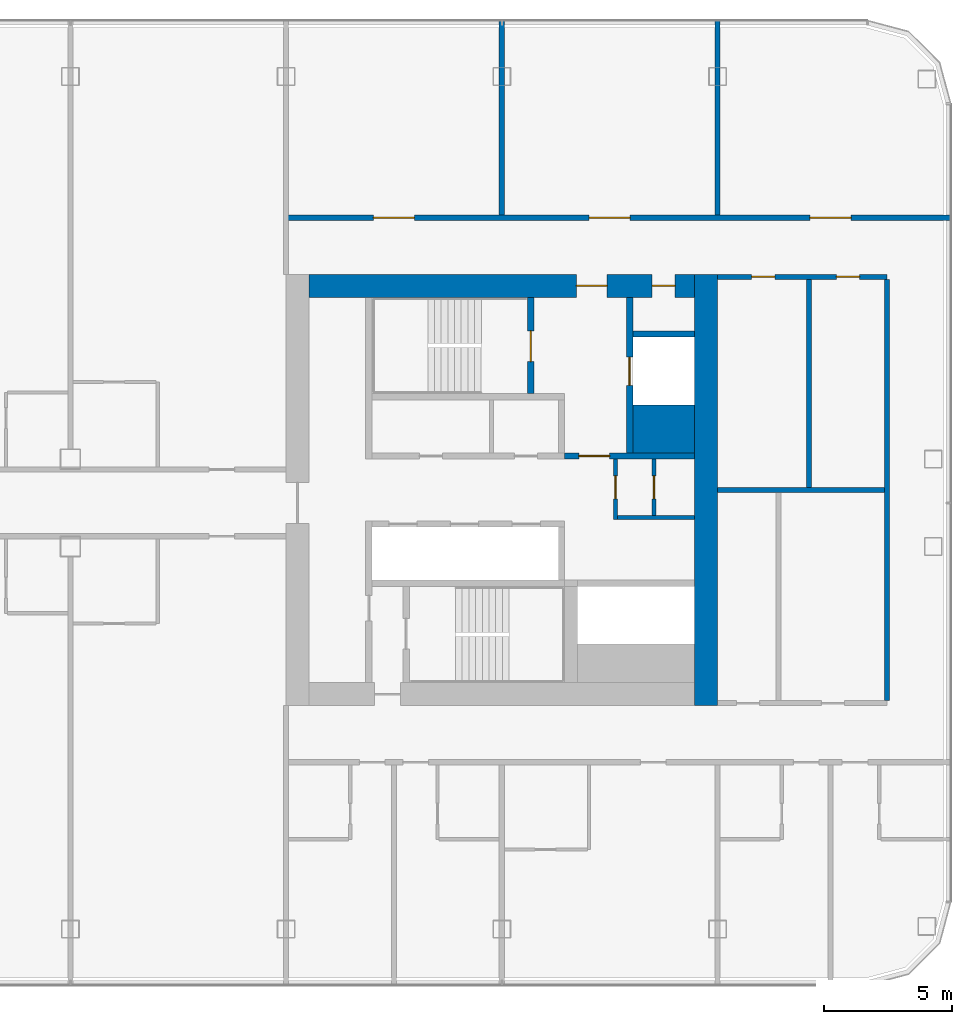
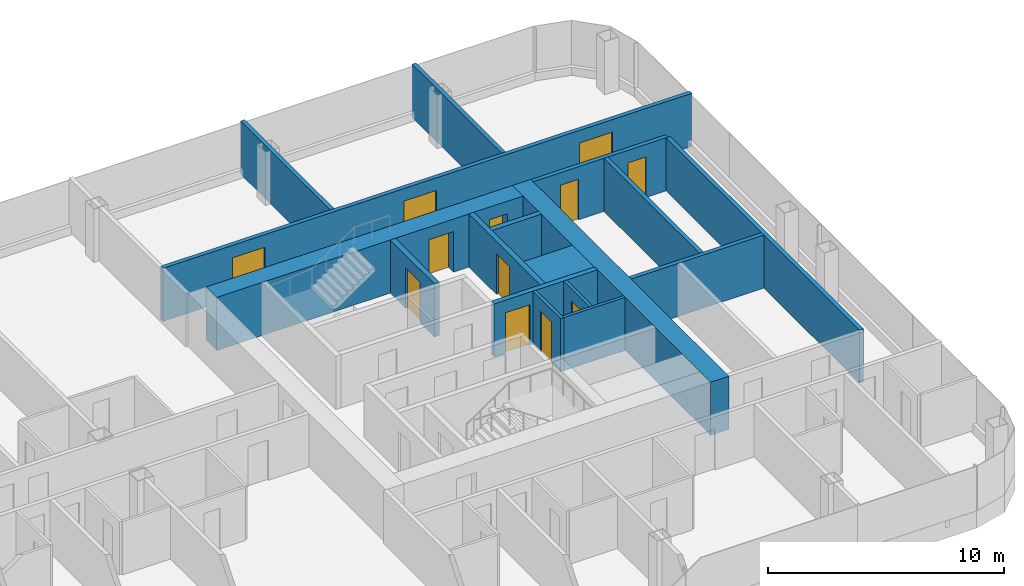
# One storey, part 17 of 26: 17 walls, 12 doors, 12 openings.
"""IFC4 building model written with IfcOpenShell, lengths in metres."""

from ifc_helpers import new_model, si_unit, direction, frame, frame_2d, origin, place, context, subcontext, project, spatial, rectangle, extrude, material, layer, layer_set, type_object, element, fill, save


model = new_model("IFC4")

# Units and contexts
model_context = context("Model", 3, precision=1e-05, world=origin(), true_north=direction((0.0, 1.0)))
body_context = subcontext(model_context, "Body", "Model", "MODEL_VIEW")
ifc_project = project(units=[si_unit("LENGTHUNIT", "METRE"), si_unit("AREAUNIT", "SQUARE_METRE"), si_unit("VOLUMEUNIT", "CUBIC_METRE"), si_unit("PLANEANGLEUNIT", "RADIAN"), si_unit("MASSUNIT", "GRAM", prefix="KILO")], contexts=[model_context])

# Site, building, storey
site_placement = place(None, origin())
site = spatial("IfcSite", under=ifc_project, at=site_placement, CompositionType="ELEMENT")
building_placement = place(site_placement, origin())
building = spatial("IfcBuilding", under=site, at=building_placement, Name="Hakoniwa Tower and Hamabe Station Hall", CompositionType="ELEMENT")
storey_placement = place(building_placement, frame((0.0, 0.0, 156.60009765625)))
storey = spatial("IfcBuildingStorey", under=building, at=storey_placement, Name="L44", CompositionType="ELEMENT", Elevation=156.60009765625)

# Wall, opening, door
ifc_material_1 = material(Name="Gypsum board partition")
ifc_layer_1 = layer(ifc_material_1, 0.14990234375)
ifc_layer_set_1 = layer_set([ifc_layer_1], Name="CORE PARTITION 150 EI 60")
wall_type_1 = type_object("IfcWallType", Name="CORE PARTITION 150 EI 60", PredefinedType="PARTITIONING", material=ifc_layer_set_1)
wall_1_placement = place(storey_placement, frame((29.625, -1.14990234375, 0.0), z_axis=(0.0, 0.0, 1.0), x_axis=(0.0, 1.0, 0.0)))
wall_1 = element("IfcWall", 1, at=wall_1_placement, inside=storey, type_object=wall_type_1, Name="Core partition PW0 east", PredefinedType="PARTITIONING", context=body_context, shape_type="SweptSolid", body=[
    extrude(rectangle(XDim=2.349853515625, YDim=0.14990234375, at=frame_2d((1.1748046875, 0.0))), origin(), (0.0, 0.0, 1.0), 2.75),
])
opening_1_placement = place(wall_1_placement, frame((0.800048828125, 0.0, 0.0)))
opening_1 = element("IfcOpeningElement", 2, at=opening_1_placement, cuts=wall_1, Name="Opening CD-E-RM1-9", PredefinedType="OPENING", context=body_context, shape_type="SweptSolid", body=[
    extrude(rectangle(XDim=0.89990234375, YDim=2.10009765625, at=frame_2d((0.449951171875, 1.050048828125))), frame((0.0, 0.0849609375, 0.0), z_axis=(0.0, -1.0, 0.0), x_axis=(1.0, 0.0, 0.0)), (0.0, 0.0, 1.0), 0.169921875),
])
ifc_material_2 = material(Name="Steel fire door", Category="steel")
door_type_1 = type_object("IfcDoorType", Name="CORE DOOR 900 FD30", OperationType="NOTDEFINED", PredefinedType="DOOR", material=ifc_material_2)
door_1_placement = place(opening_1_placement, origin())
door_1 = element("IfcDoor", 3, at=door_1_placement, inside=storey, type_object=door_type_1, Name="Store room door", OperationType="SINGLE_SWING_LEFT", OverallHeight=2.10009765625, OverallWidth=0.89990234375, PredefinedType="DOOR", context=body_context, shape_type="SweptSolid", body=[
    extrude(rectangle(XDim=0.89990234375, YDim=2.10009765625, at=frame_2d((0.449951171875, 1.050048828125))), frame((0.0, 0.02490234375, 0.0), z_axis=(0.0, -1.0, 0.0), x_axis=(1.0, 0.0, 0.0)), (0.0, 0.0, 1.0), 0.050048828125),
])
fill(opening_1, door_1)

# Wall
wall_2_placement = place(storey_placement, frame((29.699951171875, -1.074951171875, 0.0), z_axis=(0.0, 0.0, 1.0), x_axis=(1.0, 0.0, 0.0)))
element("IfcWall", 4, at=wall_2_placement, inside=storey, type_object=wall_type_1, Name="Core partition PS east", PredefinedType="PARTITIONING", context=body_context, shape_type="SweptSolid", body=[
    extrude(rectangle(XDim=3.0, YDim=0.14990234375, at=frame_2d((1.5, 0.0))), origin(), (0.0, 0.0, 1.0), 2.75),
])

# Wall, opening, door
wall_3_placement = place(storey_placement, frame((31.125, -1.0, 0.0), z_axis=(0.0, 0.0, 1.0), x_axis=(0.0, 1.0, 0.0)))
wall_3 = element("IfcWall", 5, at=wall_3_placement, inside=storey, type_object=wall_type_1, Name="Core partition PW1 east", PredefinedType="PARTITIONING", context=body_context, shape_type="SweptSolid", body=[
    extrude(rectangle(XDim=2.199951171875, YDim=0.14990234375, at=frame_2d((1.10009765625, 0.0))), origin(), (0.0, 0.0, 1.0), 2.75),
])
opening_2_placement = place(wall_3_placement, frame((0.64990234375, 0.0, 0.0)))
opening_2 = element("IfcOpeningElement", 6, at=opening_2_placement, cuts=wall_3, Name="Opening CD-E-RM2-9", PredefinedType="OPENING", context=body_context, shape_type="SweptSolid", body=[
    extrude(rectangle(XDim=0.89990234375, YDim=2.10009765625, at=frame_2d((0.449951171875, 1.050048828125))), frame((0.0, 0.0849609375, 0.0), z_axis=(0.0, -1.0, 0.0), x_axis=(1.0, 0.0, 0.0)), (0.0, 0.0, 1.0), 0.169921875),
])
door_2_placement = place(opening_2_placement, origin())
door_2 = element("IfcDoor", 7, at=door_2_placement, inside=storey, type_object=door_type_1, Name="Store room door", OperationType="SINGLE_SWING_LEFT", OverallHeight=2.10009765625, OverallWidth=0.89990234375, PredefinedType="DOOR", context=body_context, shape_type="SweptSolid", body=[
    extrude(rectangle(XDim=0.89990234375, YDim=2.10009765625, at=frame_2d((0.449951171875, 1.050048828125))), frame((0.0, 0.02490234375, 0.0), z_axis=(0.0, -1.0, 0.0), x_axis=(1.0, 0.0, 0.0)), (0.0, 0.0, 1.0), 0.050048828125),
])
fill(opening_2, door_2)

# Wall
ifc_material_3 = material(Name="Concrete C66", Category="concrete")
ifc_layer_2 = layer(ifc_material_3, 0.89990234375)
ifc_layer_set_2 = layer_set([ifc_layer_2], Name="CORE WALL 900 C66")
wall_type_2 = type_object("IfcWallType", Name="CORE WALL 900 C66", PredefinedType="SHEAR", material=ifc_layer_set_2)
wall_4_placement = place(storey_placement, frame((33.14990234375, -8.39990234375, 0.0), z_axis=(0.0, 0.0, 1.0), x_axis=(0.0, 1.0, 0.0)))
element("IfcWall", 8, at=wall_4_placement, inside=storey, type_object=wall_type_2, Name="Core wall OUTER east", PredefinedType="SHEAR", context=body_context, shape_type="SweptSolid", body=[
    extrude(rectangle(XDim=16.7998046875, YDim=0.89990234375, at=frame_2d((8.39990234375, 0.0))), origin(), (0.0, 0.0, 1.0), 2.75),
])

# Wall, openings, doors
wall_5_placement = place(storey_placement, frame((17.699951171875, 7.949951171875, 0.0), z_axis=(0.0, 0.0, 1.0), x_axis=(1.0, 0.0, 0.0)))
wall_5 = element("IfcWall", 9, at=wall_5_placement, inside=storey, type_object=wall_type_2, Name="Core wall NORTH east", PredefinedType="SHEAR", context=body_context, shape_type="SweptSolid", body=[
    extrude(rectangle(XDim=15.0, YDim=0.89990234375, at=frame_2d((7.5, 0.0))), origin(), (0.0, 0.0, 1.0), 2.75),
])
opening_3_placement = place(wall_5_placement, frame((10.39990234375, 0.0, 0.0)))
opening_3 = element("IfcOpeningElement", 10, at=opening_3_placement, cuts=wall_5, Name="Opening CD-E-FN1-12", PredefinedType="OPENING", context=body_context, shape_type="SweptSolid", body=[
    extrude(rectangle(XDim=1.199951171875, YDim=2.10009765625, at=frame_2d((0.60009765625, 1.050048828125))), frame((0.0, 0.4599609375, 0.0), z_axis=(0.0, -1.0, 0.0), x_axis=(1.0, 0.0, 0.0)), (0.0, 0.0, 1.0), 0.919921875),
])
opening_4_placement = place(wall_5_placement, frame((13.35009765625, 0.0, 0.0)))
opening_4 = element("IfcOpeningElement", 11, at=opening_4_placement, cuts=wall_5, Name="Opening CD-E-FN2-9", PredefinedType="OPENING", context=body_context, shape_type="SweptSolid", body=[
    extrude(rectangle(XDim=0.89990234375, YDim=2.10009765625, at=frame_2d((0.449951171875, 1.050048828125))), frame((0.0, 0.4599609375, 0.0), z_axis=(0.0, -1.0, 0.0), x_axis=(1.0, 0.0, 0.0)), (0.0, 0.0, 1.0), 0.919921875),
])
ifc_material_4 = material(Name="Steel fire door", Category="steel")
door_type_2 = type_object("IfcDoorType", Name="CORE DOOR 1200 FD60", OperationType="DOUBLE_DOOR_SINGLE_SWING", PredefinedType="DOOR", material=ifc_material_4)
door_3_placement = place(opening_3_placement, origin())
door_3 = element("IfcDoor", 12, at=door_3_placement, inside=storey, type_object=door_type_2, Name="Stair vestibule door to the fire-fighting lobby", OperationType="DOUBLE_DOOR_SINGLE_SWING", OverallHeight=2.10009765625, OverallWidth=1.199951171875, PredefinedType="DOOR", context=body_context, shape_type="SweptSolid", body=[
    extrude(rectangle(XDim=1.199951171875, YDim=2.10009765625, at=frame_2d((0.60009765625, 1.050048828125))), frame((0.0, 0.02490234375, 0.0), z_axis=(0.0, -1.0, 0.0), x_axis=(1.0, 0.0, 0.0)), (0.0, 0.0, 1.0), 0.050048828125),
])
fill(opening_3, door_3)
door_4_placement = place(opening_4_placement, origin())
door_4 = element("IfcDoor", 13, at=door_4_placement, inside=storey, type_object=door_type_1, Name="Riser access door", OperationType="SINGLE_SWING_LEFT", OverallHeight=2.10009765625, OverallWidth=0.89990234375, PredefinedType="DOOR", context=body_context, shape_type="SweptSolid", body=[
    extrude(rectangle(XDim=0.89990234375, YDim=2.10009765625, at=frame_2d((0.449951171875, 1.050048828125))), frame((0.0, 0.02490234375, 0.0), z_axis=(0.0, -1.0, 0.0), x_axis=(1.0, 0.0, 0.0)), (0.0, 0.0, 1.0), 0.050048828125),
])
fill(opening_4, door_4)

# Wall
ifc_material_5 = material(Name="Concrete C66", Category="concrete")
ifc_layer_3 = layer(ifc_material_5, 1.85009765625)
ifc_layer_set_3 = layer_set([ifc_layer_3], Name="CORE WEB WALL 1850 C66")
wall_type_3 = type_object("IfcWallType", Name="CORE WEB WALL 1850 C66", PredefinedType="SHEAR", material=ifc_layer_set_3)
wall_6_placement = place(storey_placement, frame((30.300048828125, 2.375, 0.0), z_axis=(0.0, 0.0, 1.0), x_axis=(1.0, 0.0, 0.0)))
element("IfcWall", 14, at=wall_6_placement, inside=storey, type_object=wall_type_3, Name="Core wall CA east", PredefinedType="SHEAR", context=body_context, shape_type="SweptSolid", body=[
    extrude(rectangle(XDim=2.39990234375, YDim=1.85009765625, at=frame_2d((1.199951171875, 0.0))), origin(), (0.0, 0.0, 1.0), 2.75),
])

# Wall, opening, door
ifc_material_6 = material(Name="Concrete C66", Category="concrete")
ifc_layer_4 = layer(ifc_material_6, 0.25)
ifc_layer_set_4 = layer_set([ifc_layer_4], Name="CORE WEB WALL 250 C66")
wall_type_4 = type_object("IfcWallType", Name="CORE WEB WALL 250 C66", PredefinedType="SHEAR", material=ifc_layer_set_4)
wall_7_placement = place(storey_placement, frame((26.324951171875, 3.75, 0.0), z_axis=(0.0, 0.0, 1.0), x_axis=(0.0, 1.0, 0.0)))
wall_7 = element("IfcWall", 15, at=wall_7_placement, inside=storey, type_object=wall_type_4, Name="Core wall NSE east", PredefinedType="SHEAR", context=body_context, shape_type="SweptSolid", body=[
    extrude(rectangle(XDim=3.75, YDim=0.25, at=frame_2d((1.875, 0.0))), origin(), (0.0, 0.0, 1.0), 2.75),
])
opening_5_placement = place(wall_7_placement, frame((1.25, 0.0, 0.0)))
opening_5 = element("IfcOpeningElement", 16, at=opening_5_placement, cuts=wall_7, Name="Opening CD-E-SN-12", PredefinedType="OPENING", context=body_context, shape_type="SweptSolid", body=[
    extrude(rectangle(XDim=1.199951171875, YDim=2.10009765625, at=frame_2d((0.60009765625, 1.050048828125))), frame((0.0, 0.135009765625, 0.0), z_axis=(0.0, -1.0, 0.0), x_axis=(1.0, 0.0, 0.0)), (0.0, 0.0, 1.0), 0.27001953125),
])
door_5_placement = place(opening_5_placement, origin())
door_5 = element("IfcDoor", 17, at=door_5_placement, inside=storey, type_object=door_type_2, Name="Escape stair door", OperationType="DOUBLE_DOOR_SINGLE_SWING", OverallHeight=2.10009765625, OverallWidth=1.199951171875, PredefinedType="DOOR", context=body_context, shape_type="SweptSolid", body=[
    extrude(rectangle(XDim=1.199951171875, YDim=2.10009765625, at=frame_2d((0.60009765625, 1.050048828125))), frame((0.0, 0.02490234375, 0.0), z_axis=(0.0, -1.0, 0.0), x_axis=(1.0, 0.0, 0.0)), (0.0, 0.0, 1.0), 0.050048828125),
])
fill(opening_5, door_5)

wall_8_placement = place(storey_placement, frame((27.64990234375, 1.324951171875, 0.0), z_axis=(0.0, 0.0, 1.0), x_axis=(1.0, 0.0, 0.0)))
wall_8 = element("IfcWall", 18, at=wall_8_placement, inside=storey, type_object=wall_type_4, Name="Core wall ELN east", PredefinedType="SHEAR", context=body_context, shape_type="SweptSolid", body=[
    extrude(rectangle(XDim=5.050048828125, YDim=0.25, at=frame_2d((2.52490234375, 0.0))), origin(), (0.0, 0.0, 1.0), 2.75),
])
opening_6_placement = place(wall_8_placement, frame((0.550048828125, 0.0, 0.0)))
opening_6 = element("IfcOpeningElement", 19, at=opening_6_placement, cuts=wall_8, Name="Opening CD-E-FL-12", PredefinedType="OPENING", context=body_context, shape_type="SweptSolid", body=[
    extrude(rectangle(XDim=1.199951171875, YDim=2.10009765625, at=frame_2d((0.60009765625, 1.050048828125))), frame((0.0, 0.135009765625, 0.0), z_axis=(0.0, -1.0, 0.0), x_axis=(1.0, 0.0, 0.0)), (0.0, 0.0, 1.0), 0.27001953125),
])
door_6_placement = place(opening_6_placement, origin())
door_6 = element("IfcDoor", 20, at=door_6_placement, inside=storey, type_object=door_type_2, Name="Stair vestibule door to the fire-fighting lobby", OperationType="DOUBLE_DOOR_SINGLE_SWING", OverallHeight=2.10009765625, OverallWidth=1.199951171875, PredefinedType="DOOR", context=body_context, shape_type="SweptSolid", body=[
    extrude(rectangle(XDim=1.199951171875, YDim=2.10009765625, at=frame_2d((0.60009765625, 1.050048828125))), frame((0.0, 0.02490234375, 0.0), z_axis=(0.0, -1.0, 0.0), x_axis=(1.0, 0.0, 0.0)), (0.0, 0.0, 1.0), 0.050048828125),
])
fill(opening_6, door_6)

wall_9_placement = place(storey_placement, frame((30.175048828125, 1.449951171875, 0.0), z_axis=(0.0, 0.0, 1.0), x_axis=(0.0, 1.0, 0.0)))
wall_9 = element("IfcWall", 21, at=wall_9_placement, inside=storey, type_object=wall_type_4, Name="Core wall FFF east", PredefinedType="SHEAR", context=body_context, shape_type="SweptSolid", body=[
    extrude(rectangle(XDim=6.050048828125, YDim=0.25, at=frame_2d((3.02490234375, 0.0))), origin(), (0.0, 0.0, 1.0), 2.75),
])
opening_7_placement = place(wall_9_placement, frame((2.625, 0.0, 0.0)))
opening_7 = element("IfcOpeningElement", 22, at=opening_7_placement, cuts=wall_9, Name="Opening LD-FF2", PredefinedType="OPENING", context=body_context, shape_type="SweptSolid", body=[
    extrude(rectangle(XDim=1.10009765625, YDim=2.10009765625, at=frame_2d((0.550048828125, 1.050048828125))), frame((0.0, 0.135009765625, 0.0), z_axis=(0.0, -1.0, 0.0), x_axis=(1.0, 0.0, 0.0)), (0.0, 0.0, 1.0), 0.27001953125),
])
ifc_material_7 = material(Name="Stainless steel SUS304", Category="steel")
door_type_3 = type_object("IfcDoorType", Name="LIFT LANDING DOOR 1100 FD60", OperationType="DOUBLE_DOOR_SLIDING", PredefinedType="DOOR", material=ifc_material_7)
door_7_placement = place(opening_7_placement, origin())
door_7 = element("IfcDoor", 23, at=door_7_placement, inside=storey, type_object=door_type_3, Name="Lift landing door FF2 L44", OperationType="DOUBLE_DOOR_SLIDING", OverallHeight=2.10009765625, OverallWidth=1.10009765625, PredefinedType="DOOR", context=body_context, shape_type="SweptSolid", body=[
    extrude(rectangle(XDim=1.10009765625, YDim=2.10009765625, at=frame_2d((0.550048828125, 1.050048828125))), frame((0.0, 0.02490234375, 0.0), z_axis=(0.0, -1.0, 0.0), x_axis=(1.0, 0.0, 0.0)), (0.0, 0.0, 1.0), 0.050048828125),
])
fill(opening_7, door_7)

# Wall
wall_10_placement = place(storey_placement, frame((30.300048828125, 6.074951171875, 0.0), z_axis=(0.0, 0.0, 1.0), x_axis=(1.0, 0.0, 0.0)))
element("IfcWall", 24, at=wall_10_placement, inside=storey, type_object=wall_type_4, Name="Core wall C2 east", PredefinedType="SHEAR", context=body_context, shape_type="SweptSolid", body=[
    extrude(rectangle(XDim=2.39990234375, YDim=0.25, at=frame_2d((1.199951171875, 0.0))), origin(), (0.0, 0.0, 1.0), 2.75),
])

# Wall, openings, doors
ifc_material_8 = material(Name="Fire-rated gypsum board partition", Category="gypsum")
ifc_layer_5 = layer(ifc_material_8, 0.199951171875)
ifc_layer_set_5 = layer_set([ifc_layer_5], Name="Corridor Wall 200")
wall_type_5 = type_object("IfcWallType", Name="Corridor Wall 200", PredefinedType="PARTITIONING", material=ifc_layer_set_5)
wall_11_placement = place(storey_placement, frame((33.60009765625, 8.300048828125, 0.0), z_axis=(0.0, 0.0, 1.0), x_axis=(1.0, 0.0, 0.0)))
wall_11 = element("IfcWall", 25, at=wall_11_placement, inside=storey, type_object=wall_type_5, Name="GW-L44-030", PredefinedType="PARTITIONING", context=body_context, shape_type="SweptSolid", body=[
    extrude(rectangle(XDim=6.599853515625, YDim=0.199951171875, at=frame_2d((3.2998046875, 0.0))), origin(), (0.0, 0.0, 1.0), 2.75),
])
opening_8_placement = place(wall_11_placement, frame((1.330078125, 0.0, 0.0)))
opening_8 = element("IfcOpeningElement", 26, at=opening_8_placement, cuts=wall_11, Name="Opening GD-G3D1-35", PredefinedType="OPENING", context=body_context, shape_type="SweptSolid", body=[
    extrude(rectangle(XDim=0.89990234375, YDim=2.10009765625, at=frame_2d((0.449951171875, 1.050048828125))), frame((0.0, 0.10986328125, 0.0), z_axis=(0.0, -1.0, 0.0), x_axis=(1.0, 0.0, 0.0)), (0.0, 0.0, 1.0), 0.219970703125),
])
opening_9_placement = place(wall_11_placement, frame((4.6298828125, 0.0, 0.0)))
opening_9 = element("IfcOpeningElement", 27, at=opening_9_placement, cuts=wall_11, Name="Opening GD-G3D1-36", PredefinedType="OPENING", context=body_context, shape_type="SweptSolid", body=[
    extrude(rectangle(XDim=0.89990234375, YDim=2.10009765625, at=frame_2d((0.449951171875, 1.050048828125))), frame((0.0, 0.10986328125, 0.0), z_axis=(0.0, -1.0, 0.0), x_axis=(1.0, 0.0, 0.0)), (0.0, 0.0, 1.0), 0.219970703125),
])
ifc_material_9 = material(Name="Timber door leaf", Category="wood")
door_type_4 = type_object("IfcDoorType", Name="Service Door 900", OperationType="SINGLE_SWING_LEFT", PredefinedType="DOOR", material=ifc_material_9)
door_8_placement = place(opening_8_placement, origin())
door_8 = element("IfcDoor", 28, at=door_8_placement, inside=storey, type_object=door_type_4, Name="Door GD-G3D1-35", OperationType="SINGLE_SWING_RIGHT", OverallHeight=2.10009765625, OverallWidth=0.89990234375, PredefinedType="DOOR", context=body_context, shape_type="SweptSolid", body=[
    extrude(rectangle(XDim=0.89990234375, YDim=2.10009765625, at=frame_2d((0.449951171875, 1.050048828125))), frame((0.0, 0.02490234375, 0.0), z_axis=(0.0, -1.0, 0.0), x_axis=(1.0, 0.0, 0.0)), (0.0, 0.0, 1.0), 0.050048828125),
])
fill(opening_8, door_8)
door_9_placement = place(opening_9_placement, origin())
door_9 = element("IfcDoor", 29, at=door_9_placement, inside=storey, type_object=door_type_4, Name="Door GD-G3D1-36", OperationType="SINGLE_SWING_LEFT", OverallHeight=2.10009765625, OverallWidth=0.89990234375, PredefinedType="DOOR", context=body_context, shape_type="SweptSolid", body=[
    extrude(rectangle(XDim=0.89990234375, YDim=2.10009765625, at=frame_2d((0.449951171875, 1.050048828125))), frame((0.0, 0.02490234375, 0.0), z_axis=(0.0, -1.0, 0.0), x_axis=(1.0, 0.0, 0.0)), (0.0, 0.0, 1.0), 0.050048828125),
])
fill(opening_9, door_9)

wall_12_placement = place(storey_placement, frame((16.800048828125, 10.60009765625, 0.0), z_axis=(0.0, 0.0, 1.0), x_axis=(1.0, 0.0, 0.0)))
wall_12 = element("IfcWall", 30, at=wall_12_placement, inside=storey, type_object=wall_type_5, Name="GW-L44-032", PredefinedType="PARTITIONING", context=body_context, shape_type="SweptSolid", body=[
    extrude(rectangle(XDim=25.89990234375, YDim=0.199951171875, at=frame_2d((12.949951171875, 0.0))), origin(), (0.0, 0.0, 1.0), 2.75),
])
opening_10_placement = place(wall_12_placement, frame((3.39990234375, 0.0, 0.0)))
opening_10 = element("IfcOpeningElement", 31, at=opening_10_placement, cuts=wall_12, Name="Opening GD-G3D1-43", PredefinedType="OPENING", context=body_context, shape_type="SweptSolid", body=[
    extrude(rectangle(XDim=1.60009765625, YDim=2.10009765625, at=frame_2d((0.800048828125, 1.050048828125))), frame((0.0, 0.10986328125, 0.0), z_axis=(0.0, -1.0, 0.0), x_axis=(1.0, 0.0, 0.0)), (0.0, 0.0, 1.0), 0.219970703125),
])
opening_11_placement = place(wall_12_placement, frame((11.800048828125, 0.0, 0.0)))
opening_11 = element("IfcOpeningElement", 32, at=opening_11_placement, cuts=wall_12, Name="Opening GD-G3D1-44", PredefinedType="OPENING", context=body_context, shape_type="SweptSolid", body=[
    extrude(rectangle(XDim=1.60009765625, YDim=2.10009765625, at=frame_2d((0.800048828125, 1.050048828125))), frame((0.0, 0.10986328125, 0.0), z_axis=(0.0, -1.0, 0.0), x_axis=(1.0, 0.0, 0.0)), (0.0, 0.0, 1.0), 0.219970703125),
])
opening_12_placement = place(wall_12_placement, frame((20.39990234375, 0.0, 0.0)))
opening_12 = element("IfcOpeningElement", 33, at=opening_12_placement, cuts=wall_12, Name="Opening GD-G3D1-45", PredefinedType="OPENING", context=body_context, shape_type="SweptSolid", body=[
    extrude(rectangle(XDim=1.60009765625, YDim=2.10009765625, at=frame_2d((0.800048828125, 1.050048828125))), frame((0.0, 0.10986328125, 0.0), z_axis=(0.0, -1.0, 0.0), x_axis=(1.0, 0.0, 0.0)), (0.0, 0.0, 1.0), 0.219970703125),
])
ifc_material_10 = material(Name="Timber door leaf", Category="wood")
door_type_5 = type_object("IfcDoorType", Name="Double Door 1600", OperationType="DOUBLE_DOOR_SINGLE_SWING", PredefinedType="DOOR", material=ifc_material_10)
door_10_placement = place(opening_10_placement, origin())
door_10 = element("IfcDoor", 34, at=door_10_placement, inside=storey, type_object=door_type_5, Name="Door GD-G3D1-43", OperationType="DOUBLE_DOOR_SINGLE_SWING", OverallHeight=2.10009765625, OverallWidth=1.60009765625, PredefinedType="DOOR", context=body_context, shape_type="SweptSolid", body=[
    extrude(rectangle(XDim=1.60009765625, YDim=2.10009765625, at=frame_2d((0.800048828125, 1.050048828125))), frame((0.0, 0.02490234375, 0.0), z_axis=(0.0, -1.0, 0.0), x_axis=(1.0, 0.0, 0.0)), (0.0, 0.0, 1.0), 0.050048828125),
])
fill(opening_10, door_10)
door_11_placement = place(opening_11_placement, origin())
door_11 = element("IfcDoor", 35, at=door_11_placement, inside=storey, type_object=door_type_5, Name="Door GD-G3D1-44", OperationType="DOUBLE_DOOR_SINGLE_SWING", OverallHeight=2.10009765625, OverallWidth=1.60009765625, PredefinedType="DOOR", context=body_context, shape_type="SweptSolid", body=[
    extrude(rectangle(XDim=1.60009765625, YDim=2.10009765625, at=frame_2d((0.800048828125, 1.050048828125))), frame((0.0, 0.02490234375, 0.0), z_axis=(0.0, -1.0, 0.0), x_axis=(1.0, 0.0, 0.0)), (0.0, 0.0, 1.0), 0.050048828125),
])
fill(opening_11, door_11)
door_12_placement = place(opening_12_placement, origin())
door_12 = element("IfcDoor", 36, at=door_12_placement, inside=storey, type_object=door_type_5, Name="Door GD-G3D1-45", OperationType="DOUBLE_DOOR_SINGLE_SWING", OverallHeight=2.10009765625, OverallWidth=1.60009765625, PredefinedType="DOOR", context=body_context, shape_type="SweptSolid", body=[
    extrude(rectangle(XDim=1.60009765625, YDim=2.10009765625, at=frame_2d((0.800048828125, 1.050048828125))), frame((0.0, 0.02490234375, 0.0), z_axis=(0.0, -1.0, 0.0), x_axis=(1.0, 0.0, 0.0)), (0.0, 0.0, 1.0), 0.050048828125),
])
fill(opening_12, door_12)

# Walls
ifc_material_11 = material(Name="Fire-rated gypsum board partition", Category="gypsum")
ifc_layer_6 = layer(ifc_material_11, 0.199951171875)
ifc_layer_set_6 = layer_set([ifc_layer_6], Name="Party Wall 200")
wall_type_6 = type_object("IfcWallType", Name="Party Wall 200", PredefinedType="PARTITIONING", material=ifc_layer_set_6)
wall_13_placement = place(storey_placement, frame((33.60009765625, 0.0, 0.0), z_axis=(0.0, 0.0, 1.0), x_axis=(1.0, 0.0, 0.0)))
element("IfcWall", 37, at=wall_13_placement, inside=storey, type_object=wall_type_6, Name="GW-L44-021", PredefinedType="PARTITIONING", context=body_context, shape_type="SweptSolid", body=[
    extrude(rectangle(XDim=6.5, YDim=0.199951171875, at=frame_2d((3.25, 0.0))), origin(), (0.0, 0.0, 1.0), 2.75),
])
for number, where, z_axis, x_axis, name in (
    (38, (25.199951171875, 10.699951171875, 0.0), (0.0, 0.0, 1.0), (0.0, 1.0, 0.0), "GW-L44-078"),
    (39, (33.60009765625, 10.699951171875, 0.0), (0.0, 0.0, 1.0), (0.0, 1.0, 0.0), "GW-L44-081"),
):
    element("IfcWall", number, at=place(storey_placement, frame(where, z_axis=z_axis, x_axis=x_axis)), inside=storey, type_object=wall_type_6, Name=name, PredefinedType="PARTITIONING", context=body_context, shape_type="SweptSolid", body=[
        extrude(rectangle(XDim=7.60009765625, YDim=0.199951171875, at=frame_2d((3.800048828125, 0.0))), origin(), (0.0, 0.0, 1.0), 2.75),
    ])
wall_14_placement = place(storey_placement, frame((37.159912109375, 0.0, 0.0), z_axis=(0.0, 0.0, 1.0), x_axis=(0.0, 1.0, 0.0)))
element("IfcWall", 40, at=wall_14_placement, inside=storey, type_object=wall_type_6, Name="GW-L44-084", PredefinedType="PARTITIONING", context=body_context, shape_type="SweptSolid", body=[
    extrude(rectangle(XDim=8.199951171875, YDim=0.199951171875, at=frame_2d((4.10009765625, 0.0))), origin(), (0.0, 0.0, 1.0), 2.75),
])
wall_15_placement = place(storey_placement, frame((40.199951171875, -8.199951171875, 0.0), z_axis=(0.0, 0.0, 1.0), x_axis=(0.0, 1.0, 0.0)))
element("IfcWall", 41, at=wall_15_placement, inside=storey, type_object=wall_type_6, Name="GW-L44-087", PredefinedType="PARTITIONING", context=body_context, shape_type="SweptSolid", body=[
    extrude(rectangle(XDim=16.39990234375, YDim=0.199951171875, at=frame_2d((8.199951171875, 0.0))), origin(), (0.0, 0.0, 1.0), 2.75),
])

save(model, "model.ifc")
